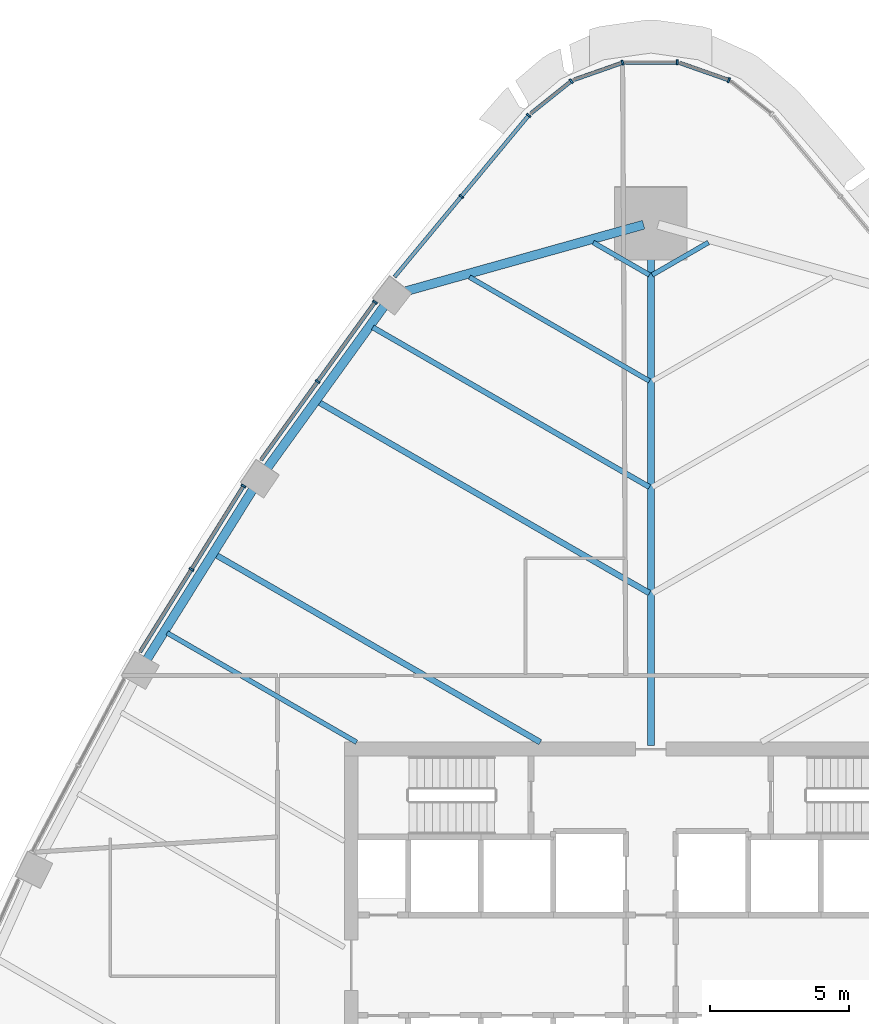
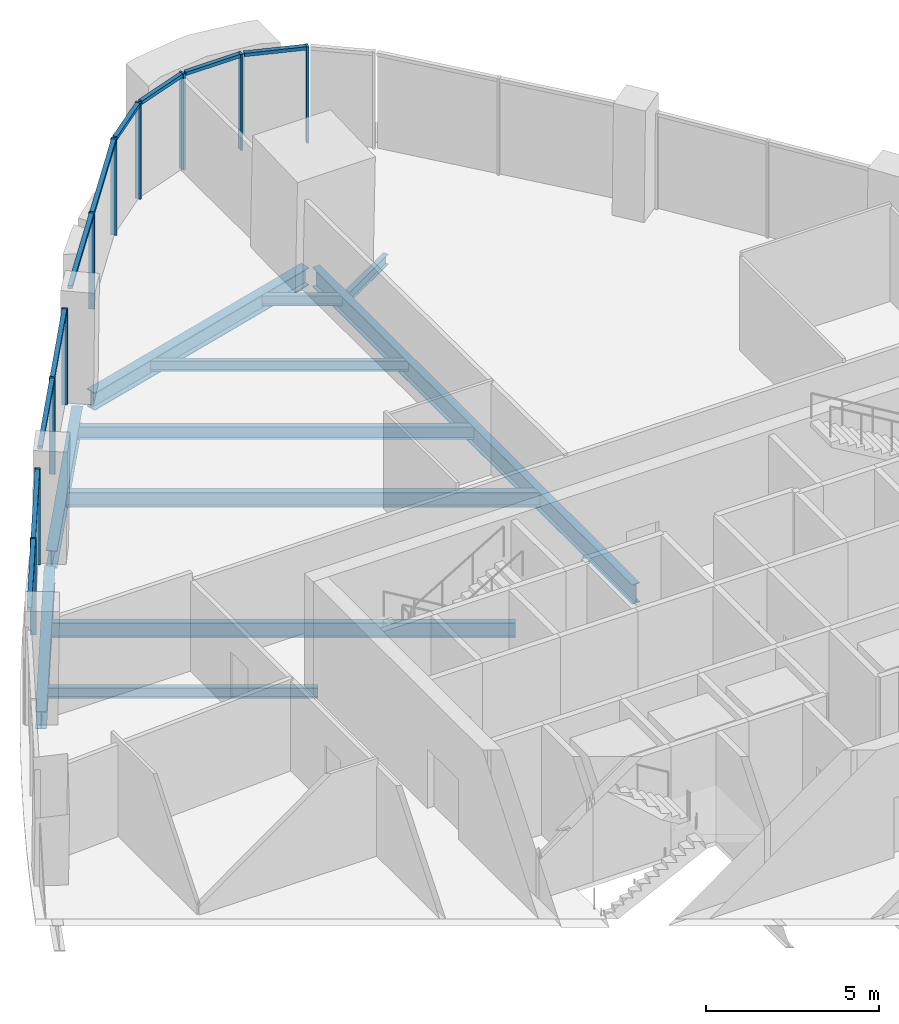
# One storey, part 6 of 16: 20 members, 11 beams, 7 elements without a shape of their own.
"""IFC4 building model written with IfcOpenShell, lengths in metres."""

from ifc_helpers import new_model, si_unit, direction, frame, origin, origin_2d, place, context, subcontext, project, spatial, rectangle, i_section, extrude, material, layer, layer_set, material_profile, profile_set, type_object, element, aggregate, save


model = new_model("IFC4")

# Units and contexts
model_context = context("Model", 3, precision=1e-05, world=origin(), true_north=direction((0.0, 1.0)))
body_context = subcontext(model_context, "Body", "Model", "MODEL_VIEW")
ifc_project = project(units=[si_unit("LENGTHUNIT", "METRE"), si_unit("AREAUNIT", "SQUARE_METRE"), si_unit("VOLUMEUNIT", "CUBIC_METRE"), si_unit("PLANEANGLEUNIT", "RADIAN"), si_unit("MASSUNIT", "GRAM", prefix="KILO")], contexts=[model_context])

# Site, building, storey
site_placement = place(None, origin())
site = spatial("IfcSite", under=ifc_project, at=site_placement, CompositionType="ELEMENT")
building_placement = place(site_placement, origin())
building = spatial("IfcBuilding", under=site, at=building_placement, Name="Sierra Prisma Convention Tower", CompositionType="ELEMENT")
storey_placement = place(building_placement, frame((0.0, 0.0, 197.800048828125)))
storey = spatial("IfcBuildingStorey", under=building, at=storey_placement, Name="L44", CompositionType="ELEMENT", Elevation=197.800048828125)

# Curtain wall, member
ifc_material_1 = material(Name="Aluminium and glass curtain wall", Category="aluminium")
ifc_layer = layer(ifc_material_1, 0.179931640625)
ifc_layer_set = layer_set([ifc_layer], Name="CW-1 Plain shaft curtain wall")
curtain_wall_type = type_object("IfcCurtainWallType", Name="CW-1 Plain shaft curtain wall", PredefinedType="NOTDEFINED", material=ifc_layer_set)
curtain_wall_1_placement = place(storey_placement, origin())
curtain_wall_1 = element("IfcCurtainWall", 1, at=curtain_wall_1_placement, inside=storey, type_object=curtain_wall_type, Name="CW-1 N2 L44", PredefinedType="NOTDEFINED")
ifc_material_2 = material(Name="Aluminium 6063-T6 bronze anodised", Category="aluminium")
ifc_material_profile_1 = material_profile(ifc_material_2, rectangle(XDim=0.179931640625, YDim=0.070068359375, at=origin_2d()), Name="ALU MULLION 70x180")
ifc_profile_set_1 = profile_set([ifc_material_profile_1], Name="Aluminium 6063-T6 bronze anodised")
member_type_1 = type_object("IfcMemberType", Name="CW mullion bronze", PredefinedType="MULLION", material=ifc_profile_set_1)
member_1_placement = place(storey_placement, frame((2.796875, 31.760009765625, 0.0), z_axis=(0.0, 0.0, 1.0), x_axis=(-0.331148285292, -0.943578726524, 0.0)))
member_1 = element("IfcMember", 2, at=member_1_placement, type_object=member_type_1, Name="CW-1 mullion N2.1", PredefinedType="MULLION", context=body_context, shape_type="SweptSolid", body=[
    extrude(rectangle(XDim=0.179931640625, YDim=0.070068359375, at=origin_2d()), origin(), (0.0, 0.0, 1.0), 3.39990234375),
])

curtain_wall_2_placement = place(storey_placement, origin())
curtain_wall_2 = element("IfcCurtainWall", 3, at=curtain_wall_2_placement, inside=storey, type_object=curtain_wall_type, Name="CW-1 N3 L44", PredefinedType="NOTDEFINED")
member_2_placement = place(storey_placement, frame((0.945068359375, 32.3974609375, 0.0), z_axis=(0.0, 0.0, 1.0), x_axis=(0.0, -1.0, 0.0)))
member_2 = element("IfcMember", 4, at=member_2_placement, type_object=member_type_1, Name="CW-1 mullion N3.1", PredefinedType="MULLION", context=body_context, shape_type="SweptSolid", body=[
    extrude(rectangle(XDim=0.179931640625, YDim=0.070068359375, at=origin_2d()), origin(), (0.0, 0.0, 1.0), 3.39990234375),
])

curtain_wall_3_placement = place(storey_placement, origin())
curtain_wall_3 = element("IfcCurtainWall", 5, at=curtain_wall_3_placement, inside=storey, type_object=curtain_wall_type, Name="CW-1 N4 L44", PredefinedType="NOTDEFINED")
member_3_placement = place(storey_placement, frame((-1.01318359375, 32.385986328125, 0.0), z_axis=(0.0, 0.0, 1.0), x_axis=(0.331148285292, -0.943578726524, 0.0)))
member_3 = element("IfcMember", 6, at=member_3_placement, type_object=member_type_1, Name="CW-1 mullion N4.1", PredefinedType="MULLION", context=body_context, shape_type="SweptSolid", body=[
    extrude(rectangle(XDim=0.179931640625, YDim=0.070068359375, at=origin_2d()), origin(), (0.0, 0.0, 1.0), 3.39990234375),
])

curtain_wall_4_placement = place(storey_placement, origin())
curtain_wall_4 = element("IfcCurtainWall", 7, at=curtain_wall_4_placement, inside=storey, type_object=curtain_wall_type, Name="CW-1 N5 L44", PredefinedType="NOTDEFINED")
member_4_placement = place(storey_placement, frame((-2.857177734375, 31.726318359375, 0.0), z_axis=(0.0, 0.0, 1.0), x_axis=(0.624928954653, -0.780681626296, 0.0)))
member_4 = element("IfcMember", 8, at=member_4_placement, type_object=member_type_1, Name="CW-1 mullion N5.1", PredefinedType="MULLION", context=body_context, shape_type="SweptSolid", body=[
    extrude(rectangle(XDim=0.179931640625, YDim=0.070068359375, at=origin_2d()), origin(), (0.0, 0.0, 1.0), 3.39990234375),
])

# Curtain wall, members
curtain_wall_5_placement = place(storey_placement, origin())
curtain_wall_5 = element("IfcCurtainWall", 9, at=curtain_wall_5_placement, inside=storey, type_object=curtain_wall_type, Name="CW-1 NW1 L44", PredefinedType="NOTDEFINED")
member_5_placement = place(storey_placement, frame((-4.382568359375, 30.496337890625, 0.0), z_axis=(0.0, 0.0, 1.0), x_axis=(0.769271482847, -0.638922049767, 0.0)))
member_5 = element("IfcMember", 10, at=member_5_placement, type_object=member_type_1, Name="CW-1 mullion NW1.1", PredefinedType="MULLION", context=body_context, shape_type="SweptSolid", body=[
    extrude(rectangle(XDim=0.179931640625, YDim=0.070068359375, at=origin_2d()), origin(), (0.0, 0.0, 1.0), 3.39990234375),
])
member_6_placement = place(storey_placement, frame((-6.80078125, 27.5849609375, 0.0), z_axis=(0.0, 0.0, 1.0), x_axis=(0.769271482847, -0.638922049767, 0.0)))
member_6 = element("IfcMember", 11, at=member_6_placement, type_object=member_type_1, Name="CW-1 mullion NW1.2", PredefinedType="MULLION", context=body_context, shape_type="SweptSolid", body=[
    extrude(rectangle(XDim=0.179931640625, YDim=0.070068359375, at=origin_2d()), origin(), (0.0, 0.0, 1.0), 3.39990234375),
])

curtain_wall_6_placement = place(storey_placement, origin())
curtain_wall_6 = element("IfcCurtainWall", 12, at=curtain_wall_6_placement, inside=storey, type_object=curtain_wall_type, Name="CW-1 NW2 L44", PredefinedType="NOTDEFINED")
member_7_placement = place(storey_placement, frame((-9.899658203125, 23.792236328125, 0.0), z_axis=(0.0, 0.0, 1.0), x_axis=(0.810789179414, -0.585338283855, 0.0)))
member_7 = element("IfcMember", 13, at=member_7_placement, type_object=member_type_1, Name="CW-1 mullion NW2.1", PredefinedType="MULLION", context=body_context, shape_type="SweptSolid", body=[
    extrude(rectangle(XDim=0.179931640625, YDim=0.070068359375, at=origin_2d()), origin(), (0.0, 0.0, 1.0), 3.39990234375),
])
member_8_placement = place(storey_placement, frame((-11.95556640625, 20.944580078125, 0.0), z_axis=(0.0, 0.0, 1.0), x_axis=(0.810789179414, -0.585338283855, 0.0)))
member_8 = element("IfcMember", 14, at=member_8_placement, type_object=member_type_1, Name="CW-1 mullion NW2.2", PredefinedType="MULLION", context=body_context, shape_type="SweptSolid", body=[
    extrude(rectangle(XDim=0.179931640625, YDim=0.070068359375, at=origin_2d()), origin(), (0.0, 0.0, 1.0), 3.39990234375),
])

curtain_wall_7_placement = place(storey_placement, origin())
curtain_wall_7 = element("IfcCurtainWall", 15, at=curtain_wall_7_placement, inside=storey, type_object=curtain_wall_type, Name="CW-1 NW3 L44", PredefinedType="NOTDEFINED")
member_9_placement = place(storey_placement, frame((-14.6142578125, 17.198486328125, 0.0), z_axis=(0.0, 0.0, 1.0), x_axis=(0.84858134908, -0.529064924176, 0.0)))
member_9 = element("IfcMember", 16, at=member_9_placement, type_object=member_type_1, Name="CW-1 mullion NW3.1", PredefinedType="MULLION", context=body_context, shape_type="SweptSolid", body=[
    extrude(rectangle(XDim=0.179931640625, YDim=0.070068359375, at=origin_2d()), origin(), (0.0, 0.0, 1.0), 3.39990234375),
])
member_10_placement = place(storey_placement, frame((-16.48095703125, 14.204345703125, 0.0), z_axis=(0.0, 0.0, 1.0), x_axis=(0.84858134908, -0.529064924176, 0.0)))
member_10 = element("IfcMember", 17, at=member_10_placement, type_object=member_type_1, Name="CW-1 mullion NW3.2", PredefinedType="MULLION", context=body_context, shape_type="SweptSolid", body=[
    extrude(rectangle(XDim=0.179931640625, YDim=0.070068359375, at=origin_2d()), origin(), (0.0, 0.0, 1.0), 3.39990234375),
])

# Member
ifc_material_3 = material(Name="Aluminium 6063-T6 bronze anodised", Category="aluminium")
ifc_material_profile_2 = material_profile(ifc_material_3, rectangle(XDim=0.139892578125, YDim=0.1201171875, at=origin_2d()), Name="ALU TRANSOM 120x140")
ifc_profile_set_2 = profile_set([ifc_material_profile_2], Name="Aluminium 6063-T6 bronze anodised")
member_type_2 = type_object("IfcMemberType", Name="CW transom bronze", PredefinedType="USERDEFINED", material=ifc_profile_set_2)
member_11_placement = place(storey_placement, frame((2.763916015625, 31.771484375, 3.33984375), z_axis=(-0.943590426157, 0.331114946302, 0.0), x_axis=(-0.331114946302, -0.943590426157, 0.0)))
member_11 = element("IfcMember", 18, at=member_11_placement, type_object=member_type_2, Name="CW-1 transom N2.1", ObjectType="TRANSOM", PredefinedType="USERDEFINED", context=body_context, shape_type="SweptSolid", body=[
    extrude(rectangle(XDim=0.139892578125, YDim=0.1201171875, at=origin_2d()), origin(), (0.0, 0.0, 1.0), 1.820556640625),
])

aggregate(curtain_wall_1, [member_1, member_11])

member_12_placement = place(storey_placement, frame((0.91015625, 32.3974609375, 3.33984375), z_axis=(-1.0, 0.0, 0.0), x_axis=(0.0, -1.0, 0.0)))
member_12 = element("IfcMember", 19, at=member_12_placement, type_object=member_type_2, Name="CW-1 transom N3.1", ObjectType="TRANSOM", PredefinedType="USERDEFINED", context=body_context, shape_type="SweptSolid", body=[
    extrude(rectangle(XDim=0.139892578125, YDim=0.1201171875, at=origin_2d()), origin(), (0.0, 0.0, 1.0), 1.8203125),
])

aggregate(curtain_wall_2, [member_2, member_12])

member_13_placement = place(storey_placement, frame((-1.046142578125, 32.374267578125, 3.33984375), z_axis=(-0.943590426157, -0.331114946302, 0.0), x_axis=(0.331114946302, -0.943590426157, 0.0)))
member_13 = element("IfcMember", 20, at=member_13_placement, type_object=member_type_2, Name="CW-1 transom N4.1", ObjectType="TRANSOM", PredefinedType="USERDEFINED", context=body_context, shape_type="SweptSolid", body=[
    extrude(rectangle(XDim=0.139892578125, YDim=0.1201171875, at=origin_2d()), origin(), (0.0, 0.0, 1.0), 1.820556640625),
])

aggregate(curtain_wall_3, [member_3, member_13])

member_14_placement = place(storey_placement, frame((-2.884521484375, 31.70458984375, 3.33984375), z_axis=(-0.780659421787, -0.62495669224, 0.0), x_axis=(0.62495669224, -0.780659421787, 0.0)))
member_14 = element("IfcMember", 21, at=member_14_placement, type_object=member_type_2, Name="CW-1 transom N5.1", ObjectType="TRANSOM", PredefinedType="USERDEFINED", context=body_context, shape_type="SweptSolid", body=[
    extrude(rectangle(XDim=0.139892578125, YDim=0.1201171875, at=origin_2d()), origin(), (0.0, 0.0, 1.0), 1.820556640625),
])

aggregate(curtain_wall_4, [member_4, member_14])

member_15_placement = place(storey_placement, frame((-4.405029296875, 30.469482421875, 3.33984375), z_axis=(-0.638897047548, -0.769292247871, 0.0), x_axis=(0.769292247871, -0.638897047548, 0.0)))
member_15 = element("IfcMember", 22, at=member_15_placement, type_object=member_type_2, Name="CW-1 transom NW1.1", ObjectType="TRANSOM", PredefinedType="USERDEFINED", context=body_context, shape_type="SweptSolid", body=[
    extrude(rectangle(XDim=0.139892578125, YDim=0.1201171875, at=origin_2d()), origin(), (0.0, 0.0, 1.0), 3.714599609375),
])

member_16_placement = place(storey_placement, frame((-6.822998046875, 27.55810546875, 3.33984375), z_axis=(-0.638929351568, -0.769265418244, 0.0), x_axis=(0.769265418244, -0.638929351568, 0.0)))
member_16 = element("IfcMember", 23, at=member_16_placement, type_object=member_type_2, Name="CW-1 transom NW1.2", ObjectType="TRANSOM", PredefinedType="USERDEFINED", context=body_context, shape_type="SweptSolid", body=[
    extrude(rectangle(XDim=0.139892578125, YDim=0.1201171875, at=origin_2d()), origin(), (0.0, 0.0, 1.0), 3.714599609375),
])

aggregate(curtain_wall_5, [member_5, member_6, member_15, member_16])

member_17_placement = place(storey_placement, frame((-9.920166015625, 23.763916015625, 3.33984375), z_axis=(-0.585329993879, -0.810795164185, 0.0), x_axis=(0.810795164185, -0.585329993879, 0.0)))
member_17 = element("IfcMember", 24, at=member_17_placement, type_object=member_type_2, Name="CW-1 transom NW2.1", ObjectType="TRANSOM", PredefinedType="USERDEFINED", context=body_context, shape_type="SweptSolid", body=[
    extrude(rectangle(XDim=0.139892578125, YDim=0.1201171875, at=origin_2d()), origin(), (0.0, 0.0, 1.0), 3.4423828125),
])

member_18_placement = place(storey_placement, frame((-11.97607421875, 20.916259765625, 3.33984375), z_axis=(-0.585329993879, -0.810795164185, 0.0), x_axis=(0.810795164185, -0.585329993879, 0.0)))
member_18 = element("IfcMember", 25, at=member_18_placement, type_object=member_type_2, Name="CW-1 transom NW2.2", ObjectType="TRANSOM", PredefinedType="USERDEFINED", context=body_context, shape_type="SweptSolid", body=[
    extrude(rectangle(XDim=0.139892578125, YDim=0.1201171875, at=origin_2d()), origin(), (0.0, 0.0, 1.0), 3.4423828125),
])

aggregate(curtain_wall_6, [member_7, member_8, member_17, member_18])

member_19_placement = place(storey_placement, frame((-14.6328125, 17.168701171875, 3.33984375), z_axis=(-0.529059427099, -0.848584776318, 0.0), x_axis=(0.848584776318, -0.529059427099, 0.0)))
member_19 = element("IfcMember", 26, at=member_19_placement, type_object=member_type_2, Name="CW-1 transom NW3.1", ObjectType="TRANSOM", PredefinedType="USERDEFINED", context=body_context, shape_type="SweptSolid", body=[
    extrude(rectangle(XDim=0.139892578125, YDim=0.1201171875, at=origin_2d()), origin(), (0.0, 0.0, 1.0), 3.458251953125),
])

member_20_placement = place(storey_placement, frame((-16.49951171875, 14.1748046875, 3.33984375), z_axis=(-0.529059427099, -0.848584776318, 0.0), x_axis=(0.848584776318, -0.529059427099, 0.0)))
member_20 = element("IfcMember", 27, at=member_20_placement, type_object=member_type_2, Name="CW-1 transom NW3.2", ObjectType="TRANSOM", PredefinedType="USERDEFINED", context=body_context, shape_type="SweptSolid", body=[
    extrude(rectangle(XDim=0.139892578125, YDim=0.1201171875, at=origin_2d()), origin(), (0.0, 0.0, 1.0), 3.458251953125),
])

aggregate(curtain_wall_7, [member_9, member_10, member_19, member_20])

# Beams
ifc_material_4 = material(Name="Steel ASTM A992 Gr 50", Category="steel")
ifc_material_profile_3 = material_profile(ifc_material_4, i_section(OverallWidth=0.172119140625, OverallDepth=0.35791015625, WebThickness=0.0078125, FlangeThickness=0.01318359375, at=origin_2d()), Name="W360x57")
ifc_profile_set_3 = profile_set([ifc_material_profile_3], Name="Steel ASTM A992 Gr 50")
beam_type_1 = type_object("IfcBeamType", Name="Floor joist W360x57", PredefinedType="JOIST", material=ifc_profile_set_3)
for number, where, z_axis, x_axis, name in (
    (28, (2.06689453125, 25.934814453125, -0.3291015625), (-0.86601443812, -0.500018992608, 0.0), (0.500018992608, -0.86601443812, 0.0), "Floor joist L44 NE14"),
    (29, (-2.06689453125, 25.934814453125, -0.3291015625), (0.86601443812, -0.500018992608, 0.0), (0.500018992608, 0.86601443812, 0.0), "Floor joist L44 NW01"),
):
    element("IfcBeam", number, at=place(storey_placement, frame(where, z_axis=z_axis, x_axis=x_axis)), inside=storey, type_object=beam_type_1, Name=name, PredefinedType="JOIST", context=body_context, shape_type="SweptSolid", body=[
        extrude(i_section(OverallWidth=0.172119140625, OverallDepth=0.35791015625, WebThickness=0.0078125, FlangeThickness=0.01318359375, at=origin_2d()), origin(), (0.0, 0.0, 1.0), 2.328125),
    ])
beam_1_placement = place(storey_placement, frame((-6.508056640625, 24.692626953125, -0.3291015625), z_axis=(0.866016007392, -0.500016274675, 0.0), x_axis=(0.500016274675, 0.866016007392, 0.0)))
element("IfcBeam", 30, at=beam_1_placement, inside=storey, type_object=beam_type_1, Name="Floor joist L44 NW02", PredefinedType="JOIST", context=body_context, shape_type="SweptSolid", body=[
    extrude(i_section(OverallWidth=0.172119140625, OverallDepth=0.35791015625, WebThickness=0.0078125, FlangeThickness=0.01318359375, at=origin_2d()), origin(), (0.0, 0.0, 1.0), 7.456298828125),
])
beam_2_placement = place(storey_placement, frame((-17.357666015625, 11.924560546875, -0.3291015625), z_axis=(0.866027606468, -0.499996184821, 0.0), x_axis=(0.499996184821, 0.866027606468, 0.0)))
element("IfcBeam", 31, at=beam_2_placement, inside=storey, type_object=beam_type_1, Name="Floor joist L44 NW07", PredefinedType="JOIST", context=body_context, shape_type="SweptSolid", body=[
    extrude(i_section(OverallWidth=0.172119140625, OverallDepth=0.35791015625, WebThickness=0.0078125, FlangeThickness=0.01318359375, at=origin_2d()), origin(), (0.0, 0.0, 1.0), 7.84912109375),
])
ifc_material_5 = material(Name="Steel ASTM A992 Gr 50", Category="steel")
ifc_material_profile_4 = material_profile(ifc_material_5, i_section(OverallWidth=0.18994140625, OverallDepth=0.45703125, WebThickness=0.009033203125, FlangeThickness=0.014404296875, at=origin_2d()), Name="W460x74")
ifc_profile_set_4 = profile_set([ifc_material_profile_4], Name="Steel ASTM A992 Gr 50")
beam_type_2 = type_object("IfcBeamType", Name="Floor joist W460x74", PredefinedType="JOIST", material=ifc_profile_set_4)
beam_3_placement = place(storey_placement, frame((-9.97998046875, 22.890625, -0.378662109375), z_axis=(0.866023886522, -0.500002627967, 0.0), x_axis=(0.500002627967, 0.866023886522, 0.0)))
element("IfcBeam", 32, at=beam_3_placement, inside=storey, type_object=beam_type_2, Name="Floor joist L44 NW03", PredefinedType="JOIST", context=body_context, shape_type="SweptSolid", body=[
    extrude(i_section(OverallWidth=0.18994140625, OverallDepth=0.45703125, WebThickness=0.009033203125, FlangeThickness=0.014404296875, at=origin_2d()), origin(), (0.0, 0.0, 1.0), 11.46533203125),
])
ifc_material_6 = material(Name="Steel ASTM A992 Gr 50", Category="steel")
ifc_material_profile_5 = material_profile(ifc_material_6, i_section(OverallWidth=0.208984375, OverallDepth=0.532958984375, WebThickness=0.01025390625, FlangeThickness=0.015625, at=origin_2d()), Name="W530x92")
ifc_profile_set_5 = profile_set([ifc_material_profile_5], Name="Steel ASTM A992 Gr 50")
beam_type_3 = type_object("IfcBeamType", Name="Floor joist W530x92", PredefinedType="JOIST", material=ifc_profile_set_5)
beam_4_placement = place(storey_placement, frame((-11.919677734375, 20.2041015625, -0.41650390625), z_axis=(0.866024503882, -0.500001558674, 0.0), x_axis=(0.500001558674, 0.866024503882, 0.0)))
element("IfcBeam", 33, at=beam_4_placement, inside=storey, type_object=beam_type_3, Name="Floor joist L44 NW04", PredefinedType="JOIST", context=body_context, shape_type="SweptSolid", body=[
    extrude(i_section(OverallWidth=0.208984375, OverallDepth=0.532958984375, WebThickness=0.01025390625, FlangeThickness=0.015625, at=origin_2d()), origin(), (0.0, 0.0, 1.0), 13.705078125),
])
beam_5_placement = place(storey_placement, frame((-15.612548828125, 14.723388671875, -0.41650390625), z_axis=(0.86603018239, -0.49999172312, 0.0), x_axis=(0.49999172312, 0.86603018239, 0.0)))
element("IfcBeam", 34, at=beam_5_placement, inside=storey, type_object=beam_type_3, Name="Floor joist L44 NW06", PredefinedType="JOIST", context=body_context, shape_type="SweptSolid", body=[
    extrude(i_section(OverallWidth=0.208984375, OverallDepth=0.532958984375, WebThickness=0.01025390625, FlangeThickness=0.015625, at=origin_2d()), origin(), (0.0, 0.0, 1.0), 13.447021484375),
])
ifc_material_7 = material(Name="Steel ASTM A992 Gr 50", Category="steel")
ifc_material_profile_6 = material_profile(ifc_material_7, i_section(OverallWidth=0.25390625, OverallDepth=0.68408203125, WebThickness=0.012451171875, FlangeThickness=0.018798828125, at=origin_2d()), Name="W690x140")
ifc_profile_set_6 = profile_set([ifc_material_profile_6], Name="Steel ASTM A992 Gr 50")
beam_type_4 = type_object("IfcBeamType", Name="Radial girder W690x140", PredefinedType="BEAM", material=ifc_profile_set_6)
beam_6_placement = place(storey_placement, frame((0.0, 26.384765625, -0.491943359375), z_axis=(0.0, -1.0, 0.0), x_axis=(1.0, 0.0, 0.0)))
element("IfcBeam", 35, at=beam_6_placement, inside=storey, type_object=beam_type_4, Name="Radial girder L44 N", PredefinedType="BEAM", context=body_context, shape_type="SweptSolid", body=[
    extrude(i_section(OverallWidth=0.25390625, OverallDepth=0.68408203125, WebThickness=0.012451171875, FlangeThickness=0.018798828125, at=origin_2d()), origin(), (0.0, 0.0, 1.0), 18.5048828125),
])
ifc_material_8 = material(Name="Steel ASTM A992 Gr 50", Category="steel")
ifc_material_profile_7 = material_profile(ifc_material_8, i_section(OverallWidth=0.324951171875, OverallDepth=0.615966796875, WebThickness=0.013916015625, FlangeThickness=0.021484375, at=origin_2d()), Name="W610x174")
ifc_profile_set_7 = profile_set([ifc_material_profile_7], Name="Steel ASTM A992 Gr 50")
beam_type_5 = type_object("IfcBeamType", Name="Spandrel beam W610x174", PredefinedType="BEAM", material=ifc_profile_set_7)
beam_7_placement = place(storey_placement, frame((-0.260009765625, 26.572021484375, -0.4580078125), z_axis=(-0.963027186996, -0.269404226221, 0.0), x_axis=(0.269404226221, -0.963027186996, 0.0)))
element("IfcBeam", 36, at=beam_7_placement, inside=storey, type_object=beam_type_5, Name="Spandrel L44-13", PredefinedType="BEAM", context=body_context, shape_type="SweptSolid", body=[
    extrude(i_section(OverallWidth=0.324951171875, OverallDepth=0.615966796875, WebThickness=0.013916015625, FlangeThickness=0.021484375, at=origin_2d()), origin(), (0.0, 0.0, 1.0), 8.867431640625),
])
beam_8_placement = place(storey_placement, frame((-9.50634765625, 23.7392578125, -0.4580078125), z_axis=(-0.585353592511, -0.810778127316, 0.0), x_axis=(0.810778127316, -0.585353592511, 0.0)))
element("IfcBeam", 37, at=beam_8_placement, inside=storey, type_object=beam_type_5, Name="Spandrel L44-14", PredefinedType="BEAM", context=body_context, shape_type="SweptSolid", body=[
    extrude(i_section(OverallWidth=0.324951171875, OverallDepth=0.615966796875, WebThickness=0.013916015625, FlangeThickness=0.021484375, at=origin_2d()), origin(), (0.0, 0.0, 1.0), 7.354736328125),
])
beam_9_placement = place(storey_placement, frame((-14.235107421875, 17.145263671875, -0.4580078125), z_axis=(-0.529079639011, -0.848572174646, 0.0), x_axis=(0.848572174646, -0.529079639011, 0.0)))
element("IfcBeam", 38, at=beam_9_placement, inside=storey, type_object=beam_type_5, Name="Spandrel L44-15", PredefinedType="BEAM", context=body_context, shape_type="SweptSolid", body=[
    extrude(i_section(OverallWidth=0.324951171875, OverallDepth=0.615966796875, WebThickness=0.013916015625, FlangeThickness=0.021484375, at=origin_2d()), origin(), (0.0, 0.0, 1.0), 7.35498046875),
])

save(model, "model.ifc")
